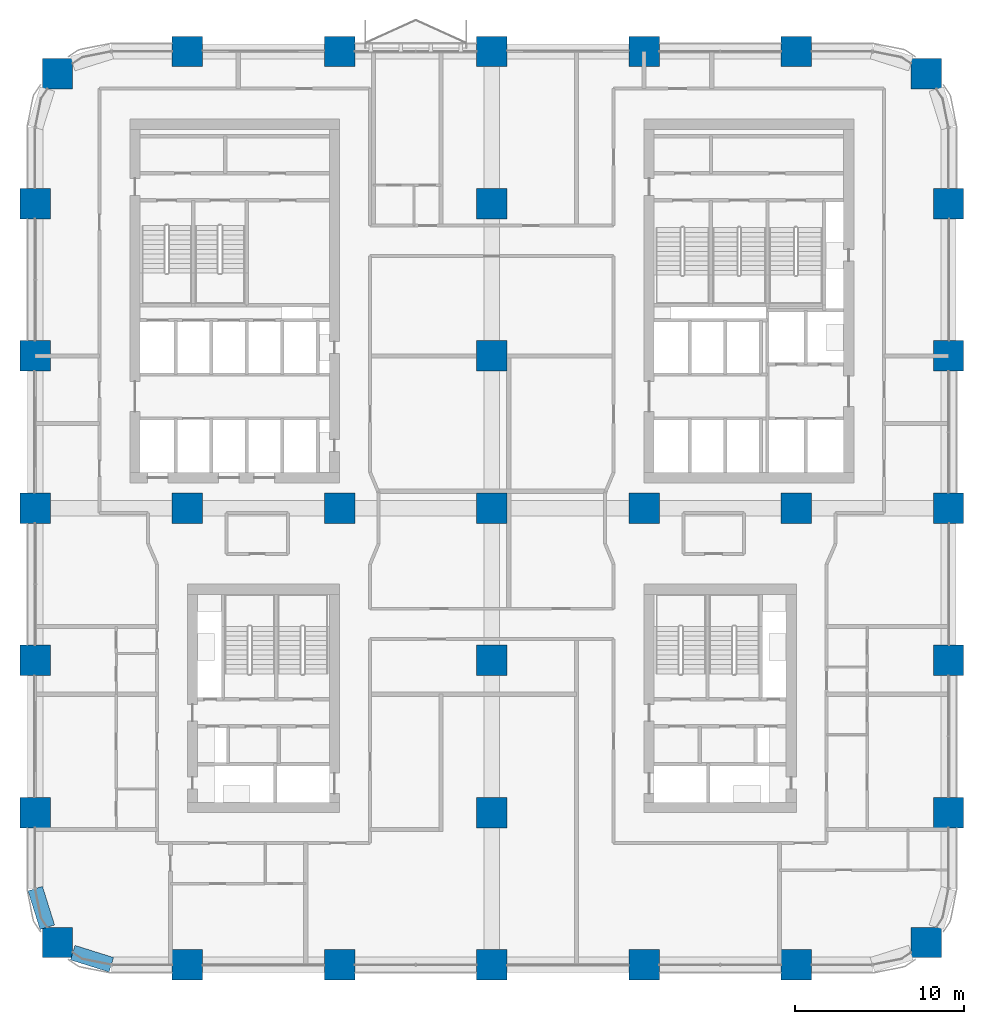
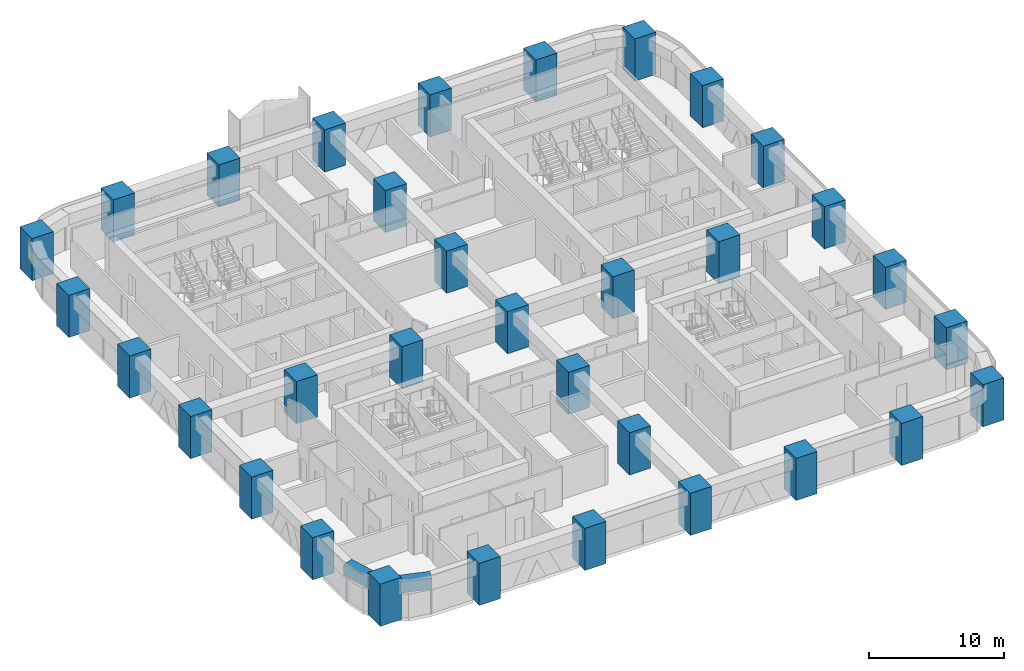
# One storey, part 1 of 23: 33 columns, 2 beams.
"""IFC4 building model written with IfcOpenShell, lengths in metres."""

from ifc_helpers import new_model, si_unit, direction, frame, origin, origin_2d, place, context, subcontext, project, spatial, rectangle, extrude, material, material_profile, profile_set, type_object, element, save


model = new_model("IFC4")

# Units and contexts
model_context = context("Model", 3, precision=1e-05, world=origin(), true_north=direction((0.0, 1.0)))
body_context = subcontext(model_context, "Body", "Model", "MODEL_VIEW")
ifc_project = project(units=[si_unit("LENGTHUNIT", "METRE"), si_unit("AREAUNIT", "SQUARE_METRE"), si_unit("VOLUMEUNIT", "CUBIC_METRE"), si_unit("PLANEANGLEUNIT", "RADIAN"), si_unit("MASSUNIT", "GRAM", prefix="KILO")], contexts=[model_context])

# Site, building, storey
site_placement = place(None, origin())
site = spatial("IfcSite", under=ifc_project, at=site_placement, CompositionType="ELEMENT")
building_placement = place(site_placement, origin())
building = spatial("IfcBuilding", under=site, at=building_placement, Name="Tessera Arch", CompositionType="ELEMENT")
storey_placement = place(building_placement, frame((0.0, 0.0, 34.800048828125)))
storey = spatial("IfcBuildingStorey", under=building, at=storey_placement, Name="L06", CompositionType="ELEMENT", Elevation=34.800048828125)

# Columns
ifc_material_1 = material(Name="Concrete C80/95", Category="concrete")
ifc_material_profile_1 = material_profile(ifc_material_1, rectangle(XDim=1.800048828125, YDim=1.800048828125, at=origin_2d()), Name="RC column 1800 x 1800 Concrete C80/95")
ifc_profile_set_1 = profile_set([ifc_material_profile_1], Name="Concrete C80/95")
column_type = type_object("IfcColumnType", Name="RC column 1800 x 1800 Concrete C80/95", PredefinedType="COLUMN", material=ifc_profile_set_1)
for number, where, z_axis, x_axis, name in (
    (1, (1.318115234375, 1.318115234375, 0.0), (0.0, 0.0, 1.0), (1.0, 0.0, 0.0), "Column C1A L06"),
    (2, (0.0, 9.0, 0.0), (0.0, 0.0, 1.0), (1.0, 0.0, 0.0), "Column C1B L06"),
    (3, (0.0, 18.0, 0.0), (0.0, 0.0, 1.0), (1.0, 0.0, 0.0), "Column C1C L06"),
    (4, (0.0, 27.0, 0.0), (0.0, 0.0, 1.0), (1.0, 0.0, 0.0), "Column C1D L06"),
    (5, (0.0, 36.0, 0.0), (0.0, 0.0, 1.0), (1.0, 0.0, 0.0), "Column C1E L06"),
    (6, (0.0, 45.0, 0.0), (0.0, 0.0, 1.0), (1.0, 0.0, 0.0), "Column C1F L06"),
    (7, (1.318115234375, 52.681884765625, 0.0), (0.0, 0.0, 1.0), (1.0, 0.0, 0.0), "Column C1G L06"),
    (8, (9.0, 0.0, 0.0), (0.0, 0.0, 1.0), (1.0, 0.0, 0.0), "Column C2A L06"),
    (9, (9.0, 27.0, 0.0), (0.0, 0.0, 1.0), (1.0, 0.0, 0.0), "Column C2D L06"),
    (10, (9.0, 54.0, 0.0), (0.0, 0.0, 1.0), (1.0, 0.0, 0.0), "Column C2G L06"),
    (11, (18.0, 0.0, 0.0), (0.0, 0.0, 1.0), (1.0, 0.0, 0.0), "Column C3A L06"),
    (12, (18.0, 27.0, 0.0), (0.0, 0.0, 1.0), (1.0, 0.0, 0.0), "Column C3D L06"),
    (13, (18.0, 54.0, 0.0), (0.0, 0.0, 1.0), (1.0, 0.0, 0.0), "Column C3G L06"),
    (14, (27.0, 0.0, 0.0), (0.0, 0.0, 1.0), (1.0, 0.0, 0.0), "Column C4A L06"),
    (15, (27.0, 9.0, 0.0), (0.0, 0.0, 1.0), (1.0, 0.0, 0.0), "Column C4B L06"),
    (16, (27.0, 18.0, 0.0), (0.0, 0.0, 1.0), (1.0, 0.0, 0.0), "Column C4C L06"),
    (17, (27.0, 27.0, 0.0), (0.0, 0.0, 1.0), (1.0, 0.0, 0.0), "Column C4D L06"),
    (18, (27.0, 36.0, 0.0), (0.0, 0.0, 1.0), (1.0, 0.0, 0.0), "Column C4E L06"),
    (19, (27.0, 45.0, 0.0), (0.0, 0.0, 1.0), (1.0, 0.0, 0.0), "Column C4F L06"),
    (20, (27.0, 54.0, 0.0), (0.0, 0.0, 1.0), (1.0, 0.0, 0.0), "Column C4G L06"),
    (21, (36.0, 0.0, 0.0), (0.0, 0.0, 1.0), (1.0, 0.0, 0.0), "Column C5A L06"),
    (22, (36.0, 27.0, 0.0), (0.0, 0.0, 1.0), (1.0, 0.0, 0.0), "Column C5D L06"),
    (23, (36.0, 54.0, 0.0), (0.0, 0.0, 1.0), (1.0, 0.0, 0.0), "Column C5G L06"),
    (24, (45.0, 0.0, 0.0), (0.0, 0.0, 1.0), (1.0, 0.0, 0.0), "Column C6A L06"),
    (25, (45.0, 27.0, 0.0), (0.0, 0.0, 1.0), (1.0, 0.0, 0.0), "Column C6D L06"),
    (26, (45.0, 54.0, 0.0), (0.0, 0.0, 1.0), (1.0, 0.0, 0.0), "Column C6G L06"),
    (27, (52.681884765625, 1.318115234375, 0.0), (0.0, 0.0, 1.0), (1.0, 0.0, 0.0), "Column C7A L06"),
    (28, (54.0, 9.0, 0.0), (0.0, 0.0, 1.0), (1.0, 0.0, 0.0), "Column C7B L06"),
    (29, (54.0, 18.0, 0.0), (0.0, 0.0, 1.0), (1.0, 0.0, 0.0), "Column C7C L06"),
    (30, (54.0, 27.0, 0.0), (0.0, 0.0, 1.0), (1.0, 0.0, 0.0), "Column C7D L06"),
    (31, (54.0, 36.0, 0.0), (0.0, 0.0, 1.0), (1.0, 0.0, 0.0), "Column C7E L06"),
    (32, (54.0, 45.0, 0.0), (0.0, 0.0, 1.0), (1.0, 0.0, 0.0), "Column C7F L06"),
    (33, (52.681884765625, 52.681884765625, 0.0), (0.0, 0.0, 1.0), (1.0, 0.0, 0.0), "Column C7G L06"),
):
    element("IfcColumn", number, at=place(storey_placement, frame(where, z_axis=z_axis, x_axis=x_axis)), inside=storey, type_object=column_type, Name=name, PredefinedType="COLUMN", context=body_context, shape_type="SweptSolid", body=[
        extrude(rectangle(XDim=1.800048828125, YDim=1.800048828125, at=origin_2d()), origin(), (0.0, 0.0, 1.0), 3.800048828125),
    ])

# Beams
ifc_material_2 = material(Name="Concrete C80/95", Category="concrete")
ifc_material_profile_2 = material_profile(ifc_material_2, rectangle(XDim=0.89990234375, YDim=1.0, at=origin_2d()), Name="RC spandrel beam 900 x 1000 Concrete C80/95")
ifc_profile_set_2 = profile_set([ifc_material_profile_2], Name="Concrete C80/95")
beam_type = type_object("IfcBeamType", Name="RC spandrel beam 900 x 1000 Concrete C80/95", PredefinedType="BEAM", material=ifc_profile_set_2)
for number, where, z_axis, x_axis, name in (
    (34, (0.0, 4.5, 3.0), (0.299675309057, -0.954041251279, 0.0), (0.954041251279, 0.299675309057, 0.0), "Spandrel beam L06 W0.0/5.2"),
    (35, (2.218017578125, 0.716796875, 3.0), (0.954041251279, -0.299675309057, 0.0), (0.299675309057, 0.954041251279, 0.0), "Spandrel beam L06 S0.0/5.1"),
):
    element("IfcBeam", number, at=place(storey_placement, frame(where, z_axis=z_axis, x_axis=x_axis)), inside=storey, type_object=beam_type, Name=name, PredefinedType="BEAM", context=body_context, shape_type="SweptSolid", body=[
        extrude(rectangle(XDim=0.89990234375, YDim=1.0, at=origin_2d()), origin(), (0.0, 0.0, 1.0), 2.391845703125),
    ])

save(model, "model.ifc")
